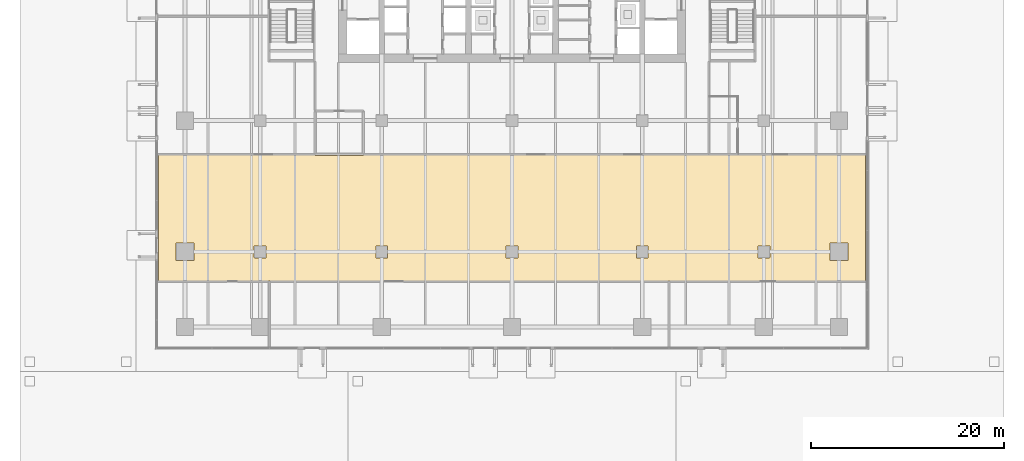
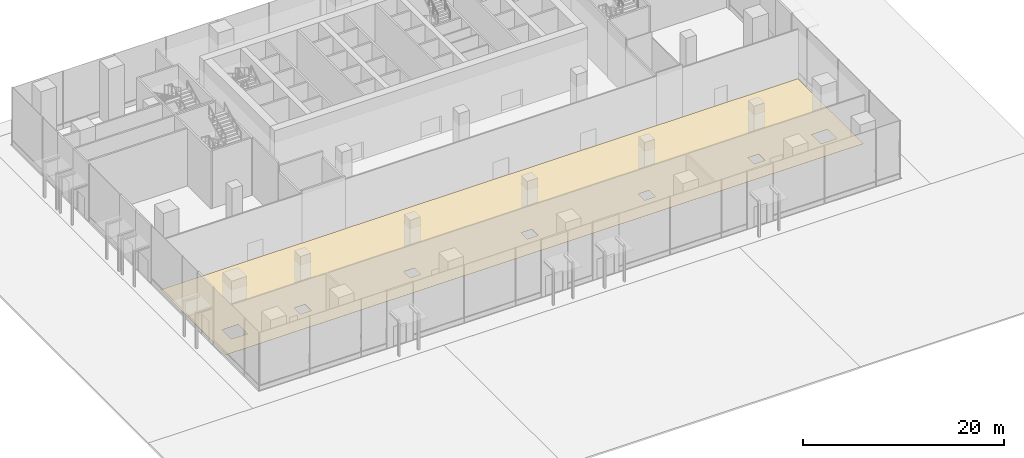
# One storey, part 35 of 41: 1 covering.
"""IFC4 building model written with IfcOpenShell, lengths in metres."""

from ifc_helpers import new_model, si_unit, direction, origin, place, context, subcontext, project, spatial, polyline, outline, extrude, material, layer, layer_set, type_object, element, save


model = new_model("IFC4")

# Units and contexts
model_context = context("Model", 3, precision=1e-05, world=origin(), true_north=direction((0.0, 1.0)))
body_context = subcontext(model_context, "Body", "Model", "MODEL_VIEW")
ifc_project = project(units=[si_unit("LENGTHUNIT", "METRE"), si_unit("AREAUNIT", "SQUARE_METRE"), si_unit("VOLUMEUNIT", "CUBIC_METRE"), si_unit("PLANEANGLEUNIT", "RADIAN"), si_unit("MASSUNIT", "GRAM", prefix="KILO")], contexts=[model_context])

# Site, building, storey
site_placement = place(None, origin())
site = spatial("IfcSite", under=ifc_project, at=site_placement, CompositionType="ELEMENT")
building_placement = place(site_placement, origin())
building = spatial("IfcBuilding", under=site, at=building_placement, Name="Rattan Terrace Tower", CompositionType="ELEMENT")
storey_placement = place(building_placement, origin())
storey = spatial("IfcBuildingStorey", under=building, at=storey_placement, Name="L00", CompositionType="ELEMENT", Elevation=0.0)

# Covering
ifc_material = material(Name="Polished limestone", Category="masonry")
ifc_layer = layer(ifc_material, 0.02001953125)
ifc_layer_set = layer_set([ifc_layer], Name="Lobby Floor Finish Stone 20")
covering_type = type_object("IfcCoveringType", Name="Lobby Floor Finish Stone 20", PredefinedType="FLOORING", material=ifc_layer_set)
covering_placement = place(storey_placement, origin())
element("IfcCovering", 1, at=covering_placement, inside=storey, type_object=covering_type, Name="Floor finish L00-103", PredefinedType="FLOORING", context=body_context, shape_type="SweptSolid", body=[
    extrude(outline(polyline([(-20.39990234375, -17.074951171875), (-36.659912109375, -17.074951171875), (-36.659912109375, -30.125), (36.659912109375, -30.125), (36.659912109375, -17.074951171875), (-15.39990234375, -17.074951171875), (-15.39990234375, -17.10009765625), (-20.39990234375, -17.10009765625), (-20.39990234375, -17.074951171875)]), holes=[polyline([(34.80810546875, -26.180908203125), (34.805908203125, -26.180908203125), (34.803955078125, -26.179931640625), (34.802001953125, -26.179931640625), (34.800048828125, -26.179931640625), (33.0, -26.179931640625), (32.998046875, -26.179931640625), (32.99609375, -26.179931640625), (32.993896484375, -26.180908203125), (32.991943359375, -26.180908203125), (32.989990234375, -26.181884765625), (32.989013671875, -26.18310546875), (32.987060546875, -26.18408203125), (32.986083984375, -26.18603515625), (32.98388671875, -26.18701171875), (32.98291015625, -26.18896484375), (32.98193359375, -26.18994140625), (32.98095703125, -26.19189453125), (32.98095703125, -26.194091796875), (32.97998046875, -26.196044921875), (32.97998046875, -26.197998046875), (32.97998046875, -26.199951171875), (32.97998046875, -28.0), (32.97998046875, -28.001953125), (32.97998046875, -28.00390625), (32.98095703125, -28.006103515625), (32.98095703125, -28.008056640625), (32.98193359375, -28.010009765625), (32.98291015625, -28.010986328125), (32.98388671875, -28.012939453125), (32.986083984375, -28.013916015625), (32.987060546875, -28.01611328125), (32.989013671875, -28.01708984375), (32.989990234375, -28.01806640625), (32.991943359375, -28.01904296875), (32.993896484375, -28.01904296875), (32.99609375, -28.02001953125), (32.998046875, -28.02001953125), (33.0, -28.02001953125), (34.800048828125, -28.02001953125), (34.802001953125, -28.02001953125), (34.803955078125, -28.02001953125), (34.805908203125, -28.01904296875), (34.80810546875, -28.01904296875), (34.81005859375, -28.01806640625), (34.81103515625, -28.01708984375), (34.81298828125, -28.01611328125), (34.81396484375, -28.013916015625), (34.81591796875, -28.012939453125), (34.81689453125, -28.010986328125), (34.818115234375, -28.010009765625), (34.819091796875, -28.008056640625), (34.819091796875, -28.006103515625), (34.820068359375, -28.00390625), (34.820068359375, -28.001953125), (34.820068359375, -28.0), (34.820068359375, -26.199951171875), (34.820068359375, -26.197998046875), (34.820068359375, -26.196044921875), (34.819091796875, -26.194091796875), (34.819091796875, -26.19189453125), (34.818115234375, -26.18994140625), (34.81689453125, -26.18896484375), (34.81591796875, -26.18701171875), (34.81396484375, -26.18603515625), (34.81298828125, -26.18408203125), (34.81103515625, -26.18310546875), (34.81005859375, -26.181884765625), (34.80810546875, -26.180908203125)]), polyline([(26.718994140625, -27.7060546875), (26.719970703125, -27.7041015625), (26.719970703125, -27.701904296875), (26.719970703125, -27.699951171875), (26.719970703125, -26.5), (26.719970703125, -26.498046875), (26.719970703125, -26.49609375), (26.718994140625, -26.493896484375), (26.718994140625, -26.491943359375), (26.718017578125, -26.489990234375), (26.717041015625, -26.489013671875), (26.716064453125, -26.487060546875), (26.714111328125, -26.486083984375), (26.712890625, -26.48388671875), (26.7109375, -26.48291015625), (26.7099609375, -26.48193359375), (26.7080078125, -26.48095703125), (26.7060546875, -26.48095703125), (26.7041015625, -26.47998046875), (26.701904296875, -26.47998046875), (26.699951171875, -26.47998046875), (25.5, -26.47998046875), (25.498046875, -26.47998046875), (25.49609375, -26.47998046875), (25.493896484375, -26.48095703125), (25.491943359375, -26.48095703125), (25.489990234375, -26.48193359375), (25.489013671875, -26.48291015625), (25.487060546875, -26.48388671875), (25.486083984375, -26.486083984375), (25.48388671875, -26.487060546875), (25.48291015625, -26.489013671875), (25.48193359375, -26.489990234375), (25.48095703125, -26.491943359375), (25.48095703125, -26.493896484375), (25.47998046875, -26.49609375), (25.47998046875, -26.498046875), (25.47998046875, -26.5), (25.47998046875, -27.699951171875), (25.47998046875, -27.701904296875), (25.47998046875, -27.7041015625), (25.48095703125, -27.7060546875), (25.48095703125, -27.7080078125), (25.48193359375, -27.7099609375), (25.48291015625, -27.7109375), (25.48388671875, -27.712890625), (25.486083984375, -27.714111328125), (25.487060546875, -27.716064453125), (25.489013671875, -27.717041015625), (25.489990234375, -27.718017578125), (25.491943359375, -27.718994140625), (25.493896484375, -27.718994140625), (25.49609375, -27.719970703125), (25.498046875, -27.719970703125), (25.5, -27.719970703125), (26.699951171875, -27.719970703125), (26.701904296875, -27.719970703125), (26.7041015625, -27.719970703125), (26.7060546875, -27.718994140625), (26.7080078125, -27.718994140625), (26.7099609375, -27.718017578125), (26.7109375, -27.717041015625), (26.712890625, -27.716064453125), (26.714111328125, -27.714111328125), (26.716064453125, -27.712890625), (26.717041015625, -27.7109375), (26.718017578125, -27.7099609375), (26.718994140625, -27.7080078125), (26.718994140625, -27.7060546875)]), polyline([(14.1201171875, -27.701904296875), (14.1201171875, -27.699951171875), (14.1201171875, -26.5), (14.1201171875, -26.498046875), (14.1201171875, -26.49609375), (14.118896484375, -26.493896484375), (14.118896484375, -26.491943359375), (14.117919921875, -26.489990234375), (14.116943359375, -26.489013671875), (14.115966796875, -26.487060546875), (14.114013671875, -26.486083984375), (14.113037109375, -26.48388671875), (14.111083984375, -26.48291015625), (14.110107421875, -26.48193359375), (14.10791015625, -26.48095703125), (14.10595703125, -26.48095703125), (14.10400390625, -26.47998046875), (14.10205078125, -26.47998046875), (14.10009765625, -26.47998046875), (12.89990234375, -26.47998046875), (12.89794921875, -26.47998046875), (12.89599609375, -26.47998046875), (12.89404296875, -26.48095703125), (12.89208984375, -26.48095703125), (12.889892578125, -26.48193359375), (12.888916015625, -26.48291015625), (12.886962890625, -26.48388671875), (12.885986328125, -26.486083984375), (12.884033203125, -26.487060546875), (12.883056640625, -26.489013671875), (12.882080078125, -26.489990234375), (12.881103515625, -26.491943359375), (12.881103515625, -26.493896484375), (12.8798828125, -26.49609375), (12.8798828125, -26.498046875), (12.8798828125, -26.5), (12.8798828125, -27.699951171875), (12.8798828125, -27.701904296875), (12.8798828125, -27.7041015625), (12.881103515625, -27.7060546875), (12.881103515625, -27.7080078125), (12.882080078125, -27.7099609375), (12.883056640625, -27.7109375), (12.884033203125, -27.712890625), (12.885986328125, -27.714111328125), (12.886962890625, -27.716064453125), (12.888916015625, -27.717041015625), (12.889892578125, -27.718017578125), (12.89208984375, -27.718994140625), (12.89404296875, -27.718994140625), (12.89599609375, -27.719970703125), (12.89794921875, -27.719970703125), (12.89990234375, -27.719970703125), (14.10009765625, -27.719970703125), (14.10205078125, -27.719970703125), (14.10400390625, -27.719970703125), (14.10595703125, -27.718994140625), (14.10791015625, -27.718994140625), (14.110107421875, -27.718017578125), (14.111083984375, -27.717041015625), (14.113037109375, -27.716064453125), (14.114013671875, -27.714111328125), (14.115966796875, -27.712890625), (14.116943359375, -27.7109375), (14.117919921875, -27.7099609375), (14.118896484375, -27.7080078125), (14.118896484375, -27.7060546875), (14.1201171875, -27.7041015625), (14.1201171875, -27.701904296875)]), polyline([(0.6201171875, -27.701904296875), (0.6201171875, -27.699951171875), (0.6201171875, -26.5), (0.6201171875, -26.498046875), (0.6201171875, -26.49609375), (0.618896484375, -26.493896484375), (0.618896484375, -26.491943359375), (0.617919921875, -26.489990234375), (0.616943359375, -26.489013671875), (0.615966796875, -26.487060546875), (0.614013671875, -26.486083984375), (0.613037109375, -26.48388671875), (0.611083984375, -26.48291015625), (0.610107421875, -26.48193359375), (0.60791015625, -26.48095703125), (0.60595703125, -26.48095703125), (0.60400390625, -26.47998046875), (0.60205078125, -26.47998046875), (0.60009765625, -26.47998046875), (-0.60009765625, -26.47998046875), (-0.60205078125, -26.47998046875), (-0.60400390625, -26.47998046875), (-0.60595703125, -26.48095703125), (-0.60791015625, -26.48095703125), (-0.610107421875, -26.48193359375), (-0.611083984375, -26.48291015625), (-0.613037109375, -26.48388671875), (-0.614013671875, -26.486083984375), (-0.615966796875, -26.487060546875), (-0.616943359375, -26.489013671875), (-0.617919921875, -26.489990234375), (-0.618896484375, -26.491943359375), (-0.618896484375, -26.493896484375), (-0.6201171875, -26.49609375), (-0.6201171875, -26.498046875), (-0.6201171875, -26.5), (-0.6201171875, -27.699951171875), (-0.6201171875, -27.701904296875), (-0.6201171875, -27.7041015625), (-0.618896484375, -27.7060546875), (-0.618896484375, -27.7080078125), (-0.617919921875, -27.7099609375), (-0.616943359375, -27.7109375), (-0.615966796875, -27.712890625), (-0.614013671875, -27.714111328125), (-0.613037109375, -27.716064453125), (-0.611083984375, -27.717041015625), (-0.610107421875, -27.718017578125), (-0.60791015625, -27.718994140625), (-0.60595703125, -27.718994140625), (-0.60400390625, -27.719970703125), (-0.60205078125, -27.719970703125), (-0.60009765625, -27.719970703125), (0.60009765625, -27.719970703125), (0.60205078125, -27.719970703125), (0.60400390625, -27.719970703125), (0.60595703125, -27.718994140625), (0.60791015625, -27.718994140625), (0.610107421875, -27.718017578125), (0.611083984375, -27.717041015625), (0.613037109375, -27.716064453125), (0.614013671875, -27.714111328125), (0.615966796875, -27.712890625), (0.616943359375, -27.7109375), (0.617919921875, -27.7099609375), (0.618896484375, -27.7080078125), (0.618896484375, -27.7060546875), (0.6201171875, -27.7041015625), (0.6201171875, -27.701904296875)]), polyline([(-12.8798828125, -27.699951171875), (-12.8798828125, -26.5), (-12.8798828125, -26.498046875), (-12.8798828125, -26.49609375), (-12.881103515625, -26.493896484375), (-12.881103515625, -26.491943359375), (-12.882080078125, -26.489990234375), (-12.883056640625, -26.489013671875), (-12.884033203125, -26.487060546875), (-12.885986328125, -26.486083984375), (-12.886962890625, -26.48388671875), (-12.888916015625, -26.48291015625), (-12.889892578125, -26.48193359375), (-12.89208984375, -26.48095703125), (-12.89404296875, -26.48095703125), (-12.89599609375, -26.47998046875), (-12.89794921875, -26.47998046875), (-12.89990234375, -26.47998046875), (-14.10009765625, -26.47998046875), (-14.10205078125, -26.47998046875), (-14.10400390625, -26.47998046875), (-14.10595703125, -26.48095703125), (-14.10791015625, -26.48095703125), (-14.110107421875, -26.48193359375), (-14.111083984375, -26.48291015625), (-14.113037109375, -26.48388671875), (-14.114013671875, -26.486083984375), (-14.115966796875, -26.487060546875), (-14.116943359375, -26.489013671875), (-14.117919921875, -26.489990234375), (-14.118896484375, -26.491943359375), (-14.118896484375, -26.493896484375), (-14.1201171875, -26.49609375), (-14.1201171875, -26.498046875), (-14.1201171875, -26.5), (-14.1201171875, -27.699951171875), (-14.1201171875, -27.701904296875), (-14.1201171875, -27.7041015625), (-14.118896484375, -27.7060546875), (-14.118896484375, -27.7080078125), (-14.117919921875, -27.7099609375), (-14.116943359375, -27.7109375), (-14.115966796875, -27.712890625), (-14.114013671875, -27.714111328125), (-14.113037109375, -27.716064453125), (-14.111083984375, -27.717041015625), (-14.110107421875, -27.718017578125), (-14.10791015625, -27.718994140625), (-14.10595703125, -27.718994140625), (-14.10400390625, -27.719970703125), (-14.10205078125, -27.719970703125), (-14.10009765625, -27.719970703125), (-12.89990234375, -27.719970703125), (-12.89794921875, -27.719970703125), (-12.89599609375, -27.719970703125), (-12.89404296875, -27.718994140625), (-12.89208984375, -27.718994140625), (-12.889892578125, -27.718017578125), (-12.888916015625, -27.717041015625), (-12.886962890625, -27.716064453125), (-12.885986328125, -27.714111328125), (-12.884033203125, -27.712890625), (-12.883056640625, -27.7109375), (-12.882080078125, -27.7099609375), (-12.881103515625, -27.7080078125), (-12.881103515625, -27.7060546875), (-12.8798828125, -27.7041015625), (-12.8798828125, -27.701904296875), (-12.8798828125, -27.699951171875)]), polyline([(-25.47998046875, -27.699951171875), (-25.47998046875, -26.5), (-25.47998046875, -26.498046875), (-25.47998046875, -26.49609375), (-25.48095703125, -26.493896484375), (-25.48095703125, -26.491943359375), (-25.48193359375, -26.489990234375), (-25.48291015625, -26.489013671875), (-25.48388671875, -26.487060546875), (-25.486083984375, -26.486083984375), (-25.487060546875, -26.48388671875), (-25.489013671875, -26.48291015625), (-25.489990234375, -26.48193359375), (-25.491943359375, -26.48095703125), (-25.493896484375, -26.48095703125), (-25.49609375, -26.47998046875), (-25.498046875, -26.47998046875), (-25.5, -26.47998046875), (-26.699951171875, -26.47998046875), (-26.701904296875, -26.47998046875), (-26.7041015625, -26.47998046875), (-26.7060546875, -26.48095703125), (-26.7080078125, -26.48095703125), (-26.7099609375, -26.48193359375), (-26.7109375, -26.48291015625), (-26.712890625, -26.48388671875), (-26.714111328125, -26.486083984375), (-26.716064453125, -26.487060546875), (-26.717041015625, -26.489013671875), (-26.718017578125, -26.489990234375), (-26.718994140625, -26.491943359375), (-26.718994140625, -26.493896484375), (-26.719970703125, -26.49609375), (-26.719970703125, -26.498046875), (-26.719970703125, -26.5), (-26.719970703125, -27.699951171875), (-26.719970703125, -27.701904296875), (-26.719970703125, -27.7041015625), (-26.718994140625, -27.7060546875), (-26.718994140625, -27.7080078125), (-26.718017578125, -27.7099609375), (-26.717041015625, -27.7109375), (-26.716064453125, -27.712890625), (-26.714111328125, -27.714111328125), (-26.712890625, -27.716064453125), (-26.7109375, -27.717041015625), (-26.7099609375, -27.718017578125), (-26.7080078125, -27.718994140625), (-26.7060546875, -27.718994140625), (-26.7041015625, -27.719970703125), (-26.701904296875, -27.719970703125), (-26.699951171875, -27.719970703125), (-25.5, -27.719970703125), (-25.498046875, -27.719970703125), (-25.49609375, -27.719970703125), (-25.493896484375, -27.718994140625), (-25.491943359375, -27.718994140625), (-25.489990234375, -27.718017578125), (-25.489013671875, -27.717041015625), (-25.487060546875, -27.716064453125), (-25.486083984375, -27.714111328125), (-25.48388671875, -27.712890625), (-25.48291015625, -27.7109375), (-25.48193359375, -27.7099609375), (-25.48095703125, -27.7080078125), (-25.48095703125, -27.7060546875), (-25.47998046875, -27.7041015625), (-25.47998046875, -27.701904296875), (-25.47998046875, -27.699951171875)]), polyline([(-33.0, -26.179931640625), (-34.800048828125, -26.179931640625), (-34.802001953125, -26.179931640625), (-34.803955078125, -26.179931640625), (-34.805908203125, -26.180908203125), (-34.80810546875, -26.180908203125), (-34.81005859375, -26.181884765625), (-34.81103515625, -26.18310546875), (-34.81298828125, -26.18408203125), (-34.81396484375, -26.18603515625), (-34.81591796875, -26.18701171875), (-34.81689453125, -26.18896484375), (-34.818115234375, -26.18994140625), (-34.819091796875, -26.19189453125), (-34.819091796875, -26.194091796875), (-34.820068359375, -26.196044921875), (-34.820068359375, -26.197998046875), (-34.820068359375, -26.199951171875), (-34.820068359375, -28.0), (-34.820068359375, -28.001953125), (-34.820068359375, -28.00390625), (-34.819091796875, -28.006103515625), (-34.819091796875, -28.008056640625), (-34.818115234375, -28.010009765625), (-34.81689453125, -28.010986328125), (-34.81591796875, -28.012939453125), (-34.81396484375, -28.013916015625), (-34.81298828125, -28.01611328125), (-34.81103515625, -28.01708984375), (-34.81005859375, -28.01806640625), (-34.80810546875, -28.01904296875), (-34.805908203125, -28.01904296875), (-34.803955078125, -28.02001953125), (-34.802001953125, -28.02001953125), (-34.800048828125, -28.02001953125), (-33.0, -28.02001953125), (-32.998046875, -28.02001953125), (-32.99609375, -28.02001953125), (-32.993896484375, -28.01904296875), (-32.991943359375, -28.01904296875), (-32.989990234375, -28.01806640625), (-32.989013671875, -28.01708984375), (-32.987060546875, -28.01611328125), (-32.986083984375, -28.013916015625), (-32.98388671875, -28.012939453125), (-32.98291015625, -28.010986328125), (-32.98193359375, -28.010009765625), (-32.98095703125, -28.008056640625), (-32.98095703125, -28.006103515625), (-32.97998046875, -28.00390625), (-32.97998046875, -28.001953125), (-32.97998046875, -28.0), (-32.97998046875, -26.199951171875), (-32.97998046875, -26.197998046875), (-32.97998046875, -26.196044921875), (-32.98095703125, -26.194091796875), (-32.98095703125, -26.19189453125), (-32.98193359375, -26.18994140625), (-32.98291015625, -26.18896484375), (-32.98388671875, -26.18701171875), (-32.986083984375, -26.18603515625), (-32.987060546875, -26.18408203125), (-32.989013671875, -26.18310546875), (-32.989990234375, -26.181884765625), (-32.991943359375, -26.180908203125), (-32.993896484375, -26.180908203125), (-32.99609375, -26.179931640625), (-32.998046875, -26.179931640625), (-33.0, -26.179931640625)])]), origin(), (0.0, 0.0, 1.0), 0.02001953125),
])

save(model, "model.ifc")
